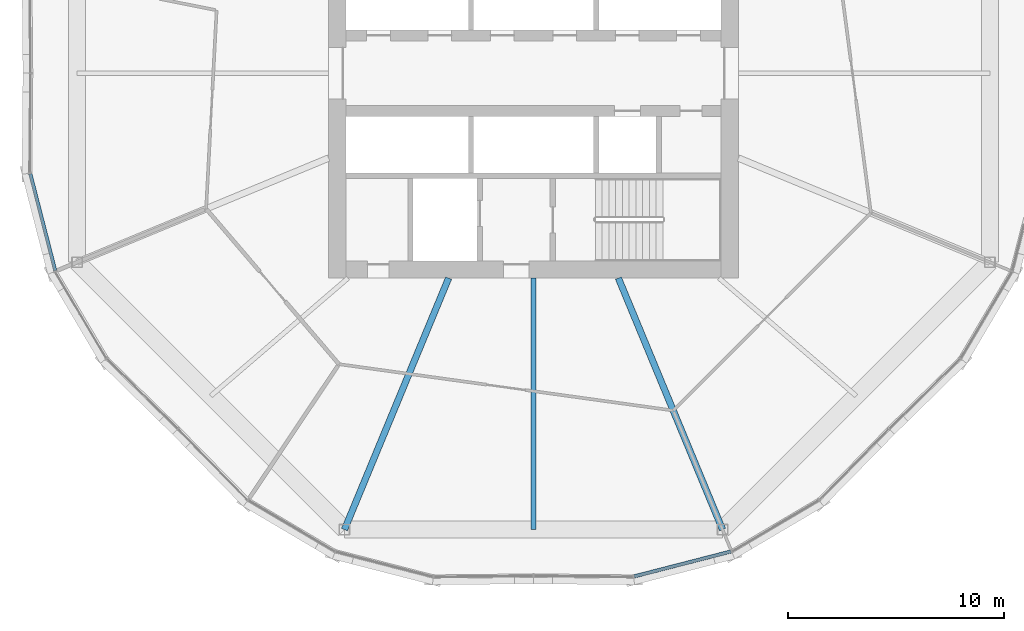
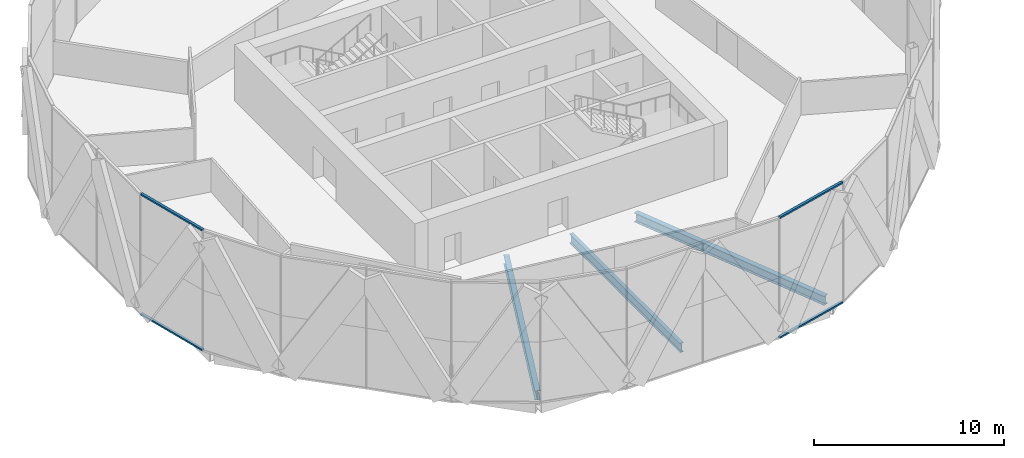
# One storey, part 4 of 31: 4 members, 3 beams, 2 elements without a shape of their own.
"""IFC4 building model written with IfcOpenShell, lengths in metres."""

import ifcopenshell
import ifcopenshell.guid

model = None  # the IFC model being written
_history = None  # IfcOwnerHistory: only IFC2X3 demands one
_inside = {}  # id of a spatial element -> (the spatial element, [elements in it])
_under = {}  # id of a project, library or spatial element -> (it, [spatial elements below it])
_declared = {}  # id of a project -> (the project, [libraries it declares])
_typed = {}  # id of a type object -> (the type object, [elements of that type])
_made_of = {}  # id of a material, layer set ... -> (it, [elements and type objects made of it])


def new_model(schema):
    """Start an empty IFC model of exactly this schema.

    Asked for "IFC4X3", IfcOpenShell would pick the latest addendum, in which some entities
    have other attributes; the version numbers below select the first issue.
    IFC2X3 requires an IfcOwnerHistory on every rooted entity: one is made here for all.
    """
    global model, _history
    if schema == "IFC4X3":
        model = ifcopenshell.file(schema_version=(4, 3, 0, 0))
    else:
        model = ifcopenshell.file(schema=schema)
    _inside.clear()
    _under.clear()
    _declared.clear()
    _typed.clear()
    _made_of.clear()
    _history = None
    if model.schema == "IFC2X3":
        org = make("IfcOrganization", Name="unknown")
        user = make(
            "IfcPersonAndOrganization",
            ThePerson=make("IfcPerson", FamilyName="unknown"),
            TheOrganization=org,
        )
        app = make(
            "IfcApplication",
            ApplicationDeveloper=org,
            Version="unknown",
            ApplicationFullName="unknown",
            ApplicationIdentifier="unknown",
        )
        _history = make(
            "IfcOwnerHistory",
            OwningUser=user,
            OwningApplication=app,
            ChangeAction="ADDED",
            CreationDate=0,
        )
    return model


def make(cls, **values):
    """One entity of the class cls with the attributes given. An attribute that is None is left unset."""
    return model.create_entity(
        cls, **{name: value for name, value in values.items() if value is not None}
    )


def rooted(cls, **values):
    """An entity with a GlobalId (a new one), such as an element, a storey or a relation."""
    return make(cls, GlobalId=ifcopenshell.guid.new(), OwnerHistory=_history, **values)


def si_unit(unit_type, name, prefix=None):
    """IfcSIUnit, for example si_unit("LENGTHUNIT", "METRE", prefix="MILLI")."""
    return make("IfcSIUnit", UnitType=unit_type, Prefix=prefix, Name=name)


def assignment(units):
    """IfcUnitAssignment: the units of a project."""
    return None if units is None else make("IfcUnitAssignment", Units=units)


def point(xyz):
    """IfcCartesianPoint."""
    return None if xyz is None else make("IfcCartesianPoint", Coordinates=xyz)


def direction(xyz):
    """IfcDirection."""
    return None if xyz is None else make("IfcDirection", DirectionRatios=xyz)


def frame(location, z_axis=None, x_axis=None):
    """IfcAxis2Placement3D, a coordinate frame: its origin and axes. An axis left out is left unset."""
    return make(
        "IfcAxis2Placement3D",
        Location=point(location),
        Axis=direction(z_axis),
        RefDirection=direction(x_axis),
    )


def frame_2d(location, x_axis=None):
    """IfcAxis2Placement2D, a coordinate frame in the plane: its origin and x axis."""
    return make(
        "IfcAxis2Placement2D", Location=point(location), RefDirection=direction(x_axis)
    )


def origin():
    """The frame at (0, 0, 0) with its axes left unset."""
    return frame((0.0, 0.0, 0.0))


def origin_2d():
    """The frame at (0, 0) in the plane with its x axis left unset."""
    return frame_2d((0.0, 0.0))


def place(relative_to, where):
    """IfcLocalPlacement: puts the frame where relative to a parent placement (None: the world)."""
    return make(
        "IfcLocalPlacement", PlacementRelTo=relative_to, RelativePlacement=where
    )


def context(
    kind, dimensions, precision=None, world=None, true_north=None, identifier=None
):
    """IfcGeometricRepresentationContext, for example the 3D "Model" context."""
    return make(
        "IfcGeometricRepresentationContext",
        ContextIdentifier=identifier,
        ContextType=kind,
        CoordinateSpaceDimension=dimensions,
        Precision=precision,
        WorldCoordinateSystem=world,
        TrueNorth=true_north,
    )


def subcontext(parent, identifier, kind, view, scale=None):
    """IfcGeometricRepresentationSubContext, for example "Body" below "Model"."""
    return make(
        "IfcGeometricRepresentationSubContext",
        ContextIdentifier=identifier,
        ContextType=kind,
        ParentContext=parent,
        TargetScale=scale,
        TargetView=view,
    )


def project(units=None, contexts=None):
    """IfcProject with its units and contexts."""
    return rooted(
        "IfcProject",
        Name="project",
        RepresentationContexts=contexts,
        UnitsInContext=assignment(units),
    )


def spatial(cls, under=None, at=None, **own):
    """A site, building, storey or space (cls), placed at a placement, below another one or the project."""
    s = rooted(cls, ObjectPlacement=at, **own)
    if under is not None:
        _under.setdefault(under.id(), (under, []))[1].append(s)
    return s


def profile(cls, at=None, kind="AREA", **sizes):
    """A parametric profile (cls). Its sizes go by their IFC names, for example OverallWidth=200.0."""
    return make(cls, ProfileType=kind, Position=at, **sizes)


def rectangle(**sizes):
    """IfcRectangleProfileDef."""
    return profile("IfcRectangleProfileDef", **sizes)


def i_section(**sizes):
    """IfcIShapeProfileDef."""
    return profile("IfcIShapeProfileDef", **sizes)


def extrude(swept, where, along, depth):
    """IfcExtrudedAreaSolid: the profile swept, set in the frame where, extruded along a direction by depth."""
    return make(
        "IfcExtrudedAreaSolid",
        SweptArea=swept,
        Position=where,
        ExtrudedDirection=direction(along),
        Depth=depth,
    )


def shape(context_of_items, identifier, shape_type, items):
    """IfcShapeRepresentation: the items that make up one representation, for example the "Body"."""
    return make(
        "IfcShapeRepresentation",
        ContextOfItems=context_of_items,
        RepresentationIdentifier=identifier,
        RepresentationType=shape_type,
        Items=items,
    )


def material(Name=None, Category=None):
    """IfcMaterial."""
    return make("IfcMaterial", Name=Name, Category=Category)


def material_profile(
    of_material, cross_section, Name=None, Category=None, Priority=None
):
    """IfcMaterialProfile: a cross section and its material."""
    return make(
        "IfcMaterialProfile",
        Name=Name,
        Material=of_material,
        Profile=cross_section,
        Priority=Priority,
        Category=Category,
    )


def profile_set(profiles, Name=None, composite=None):
    """IfcMaterialProfileSet."""
    return make(
        "IfcMaterialProfileSet",
        Name=Name,
        MaterialProfiles=profiles,
        CompositeProfile=composite,
    )


def made_of(thing, what):
    """Note that an element or type object is made of a material, layer set ...; save() writes the relation."""
    if what is not None:
        _made_of.setdefault(what.id(), (what, []))[1].append(thing)
    return thing


def type_object(cls, material=None, **own):
    """A type object (cls), such as IfcWallType, which elements share."""
    return made_of(rooted(cls, **own), material)


def element(
    cls,
    number,
    at=None,
    inside=None,
    cuts=None,
    type_object=None,
    material=None,
    context=None,
    identifier="Body",
    shape_type=None,
    held_by="IfcProductDefinitionShape",
    body=None,
    shapes=None,
    **own,
):
    """One element of the class cls, such as IfcWall. Its Tag is "e" and its number.

    at: its placement. inside: the storey or other place that contains it. cuts: it is an
    opening in that element (IfcRelVoidsElement). A single representation is given by context,
    identifier, shape_type and body (its items); several are given by shapes. held_by: the class
    of the entity that holds the representations. save() writes the other relations.
    """
    e = rooted(cls, Tag="e%d" % number, ObjectPlacement=at, **own)
    if body is not None:
        shapes = [shape(context, identifier, shape_type, body)]
    if shapes is not None:
        e.Representation = make(held_by, Representations=shapes)
    if inside is not None:
        _inside.setdefault(inside.id(), (inside, []))[1].append(e)
    if cuts is not None:
        rooted(
            "IfcRelVoidsElement", RelatingBuildingElement=cuts, RelatedOpeningElement=e
        )
    if type_object is not None:
        _typed.setdefault(type_object.id(), (type_object, []))[1].append(e)
    return made_of(e, material)


def aggregate(whole, parts):
    """IfcRelAggregates: a whole, such as a stair, and the parts it consists of."""
    return rooted("IfcRelAggregates", RelatingObject=whole, RelatedObjects=parts)


def save(model, path):
    """Write the relations noted so far, then the file.

    IfcRelAggregates (storeys below a building ...), IfcRelContainedInSpatialStructure (elements
    in a storey), IfcRelDefinesByType, IfcRelAssociatesMaterial and IfcRelDeclares: one each for
    every whole, place, type object, material and project.
    """
    for whole, parts in _under.values():
        aggregate(whole, parts)
    for where, things in _inside.values():
        rooted(
            "IfcRelContainedInSpatialStructure",
            RelatedElements=things,
            RelatingStructure=where,
        )
    for kind, things in _typed.values():
        rooted("IfcRelDefinesByType", RelatedObjects=things, RelatingType=kind)
    for what, things in _made_of.values():
        rooted("IfcRelAssociatesMaterial", RelatedObjects=things, RelatingMaterial=what)
    for by, libraries in _declared.values():
        rooted("IfcRelDeclares", RelatingContext=by, RelatedDefinitions=libraries)
    model.write(path)


model = new_model("IFC4")

# Units and contexts
model_context = context("Model", 3, precision=1e-05, world=origin(), true_north=direction((0.0, 1.0)))
body_context = subcontext(model_context, "Body", "Model", "MODEL_VIEW")
ifc_project = project(units=[si_unit("LENGTHUNIT", "METRE"), si_unit("AREAUNIT", "SQUARE_METRE"), si_unit("VOLUMEUNIT", "CUBIC_METRE"), si_unit("PLANEANGLEUNIT", "RADIAN"), si_unit("MASSUNIT", "GRAM", prefix="KILO")], contexts=[model_context])

# Site, building, storey
site_placement = place(None, origin())
site = spatial("IfcSite", under=ifc_project, at=site_placement, CompositionType="ELEMENT")
building_placement = place(site_placement, origin())
building = spatial("IfcBuilding", under=site, at=building_placement, Name="Ogive Gate Towers", CompositionType="ELEMENT")
storey_placement = place(building_placement, frame((0.0, 0.0, 63.60009765625)))
storey = spatial("IfcBuildingStorey", under=building, at=storey_placement, Name="L14", CompositionType="ELEMENT", Elevation=63.60009765625)

# Beams
ifc_material_1 = material(Name="Steel SM355", Category="steel")
ifc_material_profile_1 = material_profile(ifc_material_1, i_section(OverallWidth=0.300048828125, OverallDepth=0.590087890625, WebThickness=0.012939453125, FlangeThickness=0.02490234375, FilletRadius=0.027099609375, at=origin_2d()), Name="HE 600 A")
ifc_profile_set_1 = profile_set([ifc_material_profile_1], Name="Steel SM355")
beam_type_1 = type_object("IfcBeamType", Name="Radial floor beam HE 600 A", PredefinedType="BEAM", material=ifc_profile_set_1)
for number, where, z_axis, x_axis, name in (
    (1, (-39.93505859375, -9.5, -0.59521484375), (-0.382682759347, -0.923879811284, 0.0), (0.923879811284, -0.382682759347, 0.0), "T1/L14/SBM003"),
    (2, (-32.06494140625, -9.5, -0.59521484375), (0.382682759347, -0.923879811284, 0.0), (0.923879811284, 0.382682759347, 0.0), "T1/L14/SBM005"),
):
    element("IfcBeam", number, at=place(storey_placement, frame(where, z_axis=z_axis, x_axis=x_axis)), inside=storey, type_object=beam_type_1, Name=name, PredefinedType="BEAM", context=body_context, shape_type="SweptSolid", body=[
        extrude(i_section(OverallWidth=0.300048828125, OverallDepth=0.590087890625, WebThickness=0.012939453125, FlangeThickness=0.02490234375, FilletRadius=0.027099609375, at=origin_2d()), origin(), (0.0, 0.0, 1.0), 12.6171875),
    ])
ifc_material_profile_2 = material_profile(ifc_material_1, i_section(OverallWidth=0.219970703125, OverallDepth=0.60009765625, WebThickness=0.011962890625, FlangeThickness=0.01904296875, FilletRadius=0.02392578125, at=origin_2d()), Name="IPE 600")
ifc_profile_set_2 = profile_set([ifc_material_profile_2], Name="Steel SM355")
beam_type_2 = type_object("IfcBeamType", Name="Radial floor beam IPE 600", PredefinedType="BEAM", material=ifc_profile_set_2)
beam_placement = place(storey_placement, frame((-36.0, -9.5, -0.60009765625), z_axis=(0.0, -1.0, 0.0), x_axis=(1.0, 0.0, 0.0)))
element("IfcBeam", 3, at=beam_placement, inside=storey, type_object=beam_type_2, Name="T1/L14/SBM004", PredefinedType="BEAM", context=body_context, shape_type="SweptSolid", body=[
    extrude(i_section(OverallWidth=0.219970703125, OverallDepth=0.60009765625, WebThickness=0.011962890625, FlangeThickness=0.01904296875, FilletRadius=0.02392578125, at=origin_2d()), origin(), (0.0, 0.0, 1.0), 11.65673828125),
])

# Curtain wall, members
ifc_material_2 = material(Name="Pale metal aluminium", Category="aluminium")
curtain_wall_type = type_object("IfcCurtainWallType", Name="Tower unitised wall, low zone", PredefinedType="NOTDEFINED", material=ifc_material_2)
curtain_wall_1_placement = place(storey_placement, origin())
curtain_wall_1 = element("IfcCurtainWall", 4, at=curtain_wall_1_placement, inside=storey, type_object=curtain_wall_type, Name="CW1 T1 ECW05", PredefinedType="NOTDEFINED")
ifc_material_profile_3 = material_profile(ifc_material_2, rectangle(XDim=0.159912109375, YDim=0.10009765625, at=origin_2d()), Name="100 x 160 aluminium box")
ifc_profile_set_3 = profile_set([ifc_material_profile_3], Name="Pale metal aluminium")
member_type = type_object("IfcMemberType", Name="Tower unitised wall, low zone transom 100 x 160", PredefinedType="USERDEFINED", material=ifc_profile_set_3)
member_1_placement = place(storey_placement, frame((-59.32763671875, -4.661865234375, 7.449951171875), z_axis=(0.249241307087, -0.968441413221, 0.0), x_axis=(0.968441413221, 0.249241307087, 0.0)))
member_1 = element("IfcMember", 5, at=member_1_placement, type_object=member_type, Name="CW1 transom", ObjectType="TRANSOM", PredefinedType="USERDEFINED", context=body_context, shape_type="SweptSolid", body=[
    extrude(rectangle(XDim=0.159912109375, YDim=0.10009765625, at=origin_2d()), origin(), (0.0, 0.0, 1.0), 4.63916015625),
])
member_2_placement = place(storey_placement, frame((-59.32763671875, -4.661865234375, -0.25), z_axis=(0.249241307087, -0.968441413221, 0.0), x_axis=(0.968441413221, 0.249241307087, 0.0)))
member_2 = element("IfcMember", 6, at=member_2_placement, type_object=member_type, Name="CW1 transom", ObjectType="TRANSOM", PredefinedType="USERDEFINED", context=body_context, shape_type="SweptSolid", body=[
    extrude(rectangle(XDim=0.159912109375, YDim=0.10009765625, at=origin_2d()), origin(), (0.0, 0.0, 1.0), 4.63916015625),
])
aggregate(curtain_wall_1, [member_1, member_2])

curtain_wall_2_placement = place(storey_placement, origin())
curtain_wall_2 = element("IfcCurtainWall", 7, at=curtain_wall_2_placement, inside=storey, type_object=curtain_wall_type, Name="CW1 T1 ECW07", PredefinedType="NOTDEFINED")
member_3_placement = place(storey_placement, frame((-31.338134765625, -23.32763671875, 7.449951171875), z_axis=(0.968441413221, 0.249241307087, 0.0), x_axis=(-0.249241307087, 0.968441413221, 0.0)))
member_3 = element("IfcMember", 8, at=member_3_placement, type_object=member_type, Name="CW1 transom", ObjectType="TRANSOM", PredefinedType="USERDEFINED", context=body_context, shape_type="SweptSolid", body=[
    extrude(rectangle(XDim=0.159912109375, YDim=0.10009765625, at=origin_2d()), origin(), (0.0, 0.0, 1.0), 4.63916015625),
])
member_4_placement = place(storey_placement, frame((-31.338134765625, -23.32763671875, -0.25), z_axis=(0.968441413221, 0.249241307087, 0.0), x_axis=(-0.249241307087, 0.968441413221, 0.0)))
member_4 = element("IfcMember", 9, at=member_4_placement, type_object=member_type, Name="CW1 transom", ObjectType="TRANSOM", PredefinedType="USERDEFINED", context=body_context, shape_type="SweptSolid", body=[
    extrude(rectangle(XDim=0.159912109375, YDim=0.10009765625, at=origin_2d()), origin(), (0.0, 0.0, 1.0), 4.63916015625),
])
aggregate(curtain_wall_2, [member_3, member_4])

save(model, "model.ifc")
